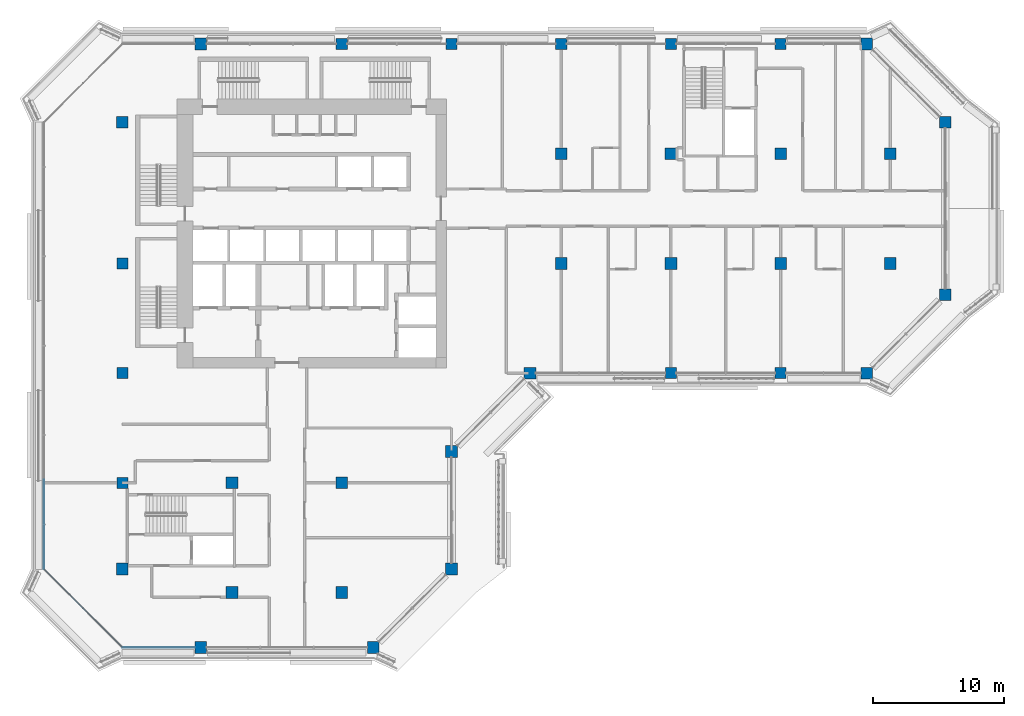
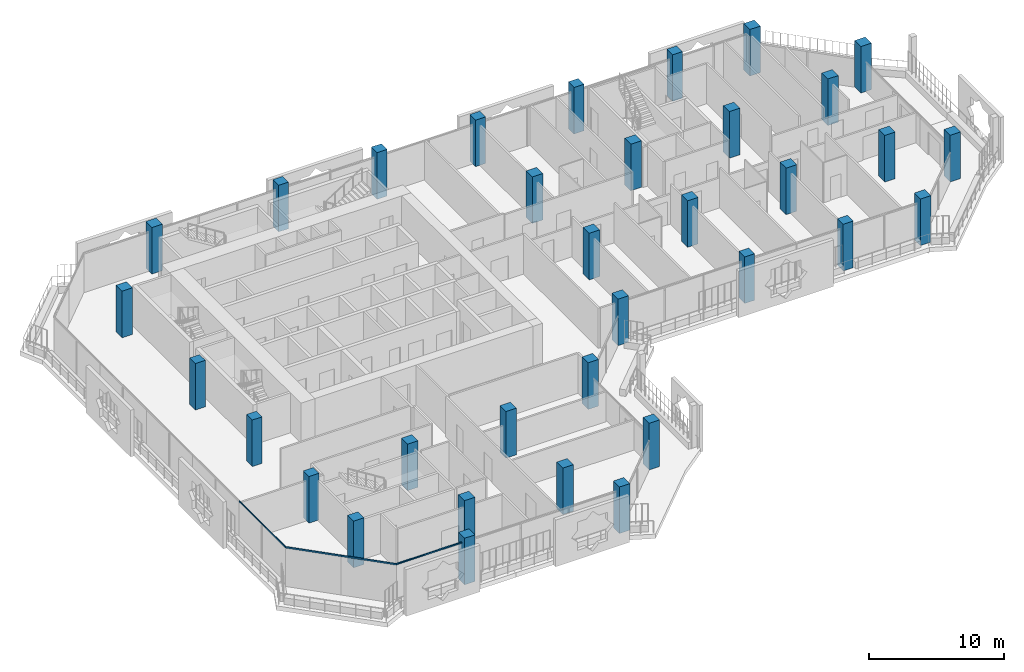
# One storey, part 1 of 21: 34 columns, 4 members, 3 elements without a shape of their own.
"""IFC4 building model written with IfcOpenShell, lengths in metres."""

from ifc_helpers import new_model, si_unit, direction, frame, origin, origin_2d, place, context, subcontext, project, spatial, rectangle, extrude, material, layer, layer_set, material_profile, profile_set, type_object, element, aggregate, save


model = new_model("IFC4")

# Units and contexts
model_context = context("Model", 3, precision=1e-05, world=origin(), true_north=direction((0.0, 1.0)))
body_context = subcontext(model_context, "Body", "Model", "MODEL_VIEW")
ifc_project = project(units=[si_unit("LENGTHUNIT", "METRE"), si_unit("AREAUNIT", "SQUARE_METRE"), si_unit("VOLUMEUNIT", "CUBIC_METRE"), si_unit("PLANEANGLEUNIT", "RADIAN"), si_unit("MASSUNIT", "GRAM", prefix="KILO")], contexts=[model_context])

# Site, building, storey
site_placement = place(None, origin())
site = spatial("IfcSite", under=ifc_project, at=site_placement, CompositionType="ELEMENT")
building_placement = place(site_placement, origin())
building = spatial("IfcBuilding", under=site, at=building_placement, Name="Kawkab Arch Medical Tower", CompositionType="ELEMENT")
storey_placement = place(building_placement, frame((0.0, 0.0, 243.199951171875)))
storey = spatial("IfcBuildingStorey", under=building, at=storey_placement, Name="L56", CompositionType="ELEMENT", Elevation=243.199951171875)

# Columns
ifc_material_1 = material(Name="Concrete C45/55", Category="concrete")
ifc_material_profile_1 = material_profile(ifc_material_1, rectangle(XDim=0.85009765625, YDim=0.85009765625, at=origin_2d()), Name="RC 850x850")
ifc_profile_set_1 = profile_set([ifc_material_profile_1], Name="Concrete C45/55")
column_type_1 = type_object("IfcColumnType", Name="RC 850x850 column C45/55", PredefinedType="COLUMN", material=ifc_profile_set_1)
for number, where, z_axis, x_axis, name in (
    (1, (16.800048828125, 0.0, 0.0), (0.0, 0.0, 1.0), (1.0, 0.0, 0.0), "Column RC 850x850"),
    (2, (25.199951171875, 0.0, 0.0), (0.0, 0.0, 1.0), (1.0, 0.0, 0.0), "Column RC 850x850"),
    (3, (33.60009765625, 0.0, 0.0), (0.0, 0.0, 1.0), (1.0, 0.0, 0.0), "Column RC 850x850"),
    (4, (42.0, 0.0, 0.0), (0.0, 0.0, 1.0), (1.0, 0.0, 0.0), "Column RC 850x850"),
    (5, (50.39990234375, 0.0, 0.0), (0.0, 0.0, 1.0), (1.0, 0.0, 0.0), "Column RC 850x850"),
    (6, (0.0, -16.800048828125, 0.0), (0.0, 0.0, 1.0), (1.0, 0.0, 0.0), "Column RC 850x850"),
    (7, (0.0, -25.199951171875, 0.0), (0.0, 0.0, 1.0), (1.0, 0.0, 0.0), "Column RC 850x850"),
    (8, (42.0, -25.199951171875, 0.0), (0.0, 0.0, 1.0), (1.0, 0.0, 0.0), "Column RC 850x850"),
    (9, (50.39990234375, -25.199951171875, 0.0), (0.0, 0.0, 1.0), (1.0, 0.0, 0.0), "Column RC 850x850"),
    (10, (0.0, -33.60009765625, 0.0), (0.0, 0.0, 1.0), (1.0, 0.0, 0.0), "Column RC 850x850"),
):
    element("IfcColumn", number, at=place(storey_placement, frame(where, z_axis=z_axis, x_axis=x_axis)), inside=storey, type_object=column_type_1, Name=name, PredefinedType="COLUMN", context=body_context, shape_type="SweptSolid", body=[
        extrude(rectangle(XDim=0.85009765625, YDim=0.85009765625, at=origin_2d()), origin(), (0.0, 0.0, 1.0), 4.199951171875),
    ])
ifc_material_2 = material(Name="Concrete C45/55", Category="concrete")
ifc_material_profile_2 = material_profile(ifc_material_2, rectangle(XDim=0.89990234375, YDim=0.89990234375, at=origin_2d()), Name="RC 900x900")
ifc_profile_set_2 = profile_set([ifc_material_profile_2], Name="Concrete C45/55")
column_type_2 = type_object("IfcColumnType", Name="RC 900x900 column C45/55", PredefinedType="COLUMN", material=ifc_profile_set_2)
for number, where, z_axis, x_axis, name in (
    (11, (6.0, 0.0, 0.0), (0.0, 0.0, 1.0), (1.0, 0.0, 0.0), "Column RC 900x900"),
    (12, (57.0, 0.0, 0.0), (0.0, 0.0, 1.0), (1.0, 0.0, 0.0), "Column RC 900x900"),
    (13, (0.0, -6.0, 0.0), (0.0, 0.0, 1.0), (1.0, 0.0, 0.0), "Column RC 900x900"),
    (14, (63.0, -6.0, 0.0), (0.0, 0.0, 1.0), (1.0, 0.0, 0.0), "Column RC 900x900"),
    (15, (33.60009765625, -8.39990234375, 0.0), (0.0, 0.0, 1.0), (1.0, 0.0, 0.0), "Column RC 900x900"),
    (16, (42.0, -8.39990234375, 0.0), (0.0, 0.0, 1.0), (1.0, 0.0, 0.0), "Column RC 900x900"),
    (17, (50.39990234375, -8.39990234375, 0.0), (0.0, 0.0, 1.0), (1.0, 0.0, 0.0), "Column RC 900x900"),
    (18, (58.800048828125, -8.39990234375, 0.0), (0.0, 0.0, 1.0), (1.0, 0.0, 0.0), "Column RC 900x900"),
    (19, (33.60009765625, -16.800048828125, 0.0), (0.0, 0.0, 1.0), (1.0, 0.0, 0.0), "Column RC 900x900"),
    (20, (42.0, -16.800048828125, 0.0), (0.0, 0.0, 1.0), (1.0, 0.0, 0.0), "Column RC 900x900"),
    (21, (50.39990234375, -16.800048828125, 0.0), (0.0, 0.0, 1.0), (1.0, 0.0, 0.0), "Column RC 900x900"),
    (22, (58.800048828125, -16.800048828125, 0.0), (0.0, 0.0, 1.0), (1.0, 0.0, 0.0), "Column RC 900x900"),
    (23, (63.0, -19.199951171875, 0.0), (0.0, 0.0, 1.0), (1.0, 0.0, 0.0), "Column RC 900x900"),
    (24, (31.199951171875, -25.199951171875, 0.0), (0.0, 0.0, 1.0), (1.0, 0.0, 0.0), "Column RC 900x900"),
    (25, (57.0, -25.199951171875, 0.0), (0.0, 0.0, 1.0), (1.0, 0.0, 0.0), "Column RC 900x900"),
    (26, (25.199951171875, -31.199951171875, 0.0), (0.0, 0.0, 1.0), (1.0, 0.0, 0.0), "Column RC 900x900"),
    (27, (8.39990234375, -33.60009765625, 0.0), (0.0, 0.0, 1.0), (1.0, 0.0, 0.0), "Column RC 900x900"),
    (28, (16.800048828125, -33.60009765625, 0.0), (0.0, 0.0, 1.0), (1.0, 0.0, 0.0), "Column RC 900x900"),
    (29, (0.0, -40.199951171875, 0.0), (0.0, 0.0, 1.0), (1.0, 0.0, 0.0), "Column RC 900x900"),
    (30, (25.199951171875, -40.199951171875, 0.0), (0.0, 0.0, 1.0), (1.0, 0.0, 0.0), "Column RC 900x900"),
    (31, (8.39990234375, -42.0, 0.0), (0.0, 0.0, 1.0), (1.0, 0.0, 0.0), "Column RC 900x900"),
    (32, (16.800048828125, -42.0, 0.0), (0.0, 0.0, 1.0), (1.0, 0.0, 0.0), "Column RC 900x900"),
    (33, (6.0, -46.199951171875, 0.0), (0.0, 0.0, 1.0), (1.0, 0.0, 0.0), "Column RC 900x900"),
    (34, (19.199951171875, -46.199951171875, 0.0), (0.0, 0.0, 1.0), (1.0, 0.0, 0.0), "Column RC 900x900"),
):
    element("IfcColumn", number, at=place(storey_placement, frame(where, z_axis=z_axis, x_axis=x_axis)), inside=storey, type_object=column_type_2, Name=name, PredefinedType="COLUMN", context=body_context, shape_type="SweptSolid", body=[
        extrude(rectangle(XDim=0.89990234375, YDim=0.89990234375, at=origin_2d()), origin(), (0.0, 0.0, 1.0), 4.199951171875),
    ])

# Curtain wall, member
ifc_material_3 = material(Name="Bronze anodised aluminium curtain wall frame", Category="aluminium")
ifc_layer_1 = layer(ifc_material_3, 0.159912109375)
ifc_layer_set_1 = layer_set([ifc_layer_1], Name="Bronze anodised aluminium curtain wall frame")
curtain_wall_type_1 = type_object("IfcCurtainWallType", Name="CW1 ward curtain wall", PredefinedType="NOTDEFINED", material=ifc_layer_set_1)
placement = place(storey_placement, origin())
curtain_wall_1 = element("IfcCurtainWall", 35, at=placement, inside=storey, type_object=curtain_wall_type_1, Name="CW1 Ward curtain wall R01", PredefinedType="NOTDEFINED")
ifc_material_4 = material(Name="Bronze anodised aluminium curtain wall frame", Category="aluminium")
ifc_material_profile_3 = material_profile(ifc_material_4, rectangle(XDim=0.06005859375, YDim=0.1201171875, at=origin_2d()), Name="AL 60x120")
ifc_profile_set_3 = profile_set([ifc_material_profile_3], Name="Bronze anodised aluminium curtain wall frame")
member_type_1 = type_object("IfcMemberType", Name="CW1 transom 120 x 60", PredefinedType="USERDEFINED", material=ifc_profile_set_3)
member_1_placement = place(storey_placement, frame((-6.0, -33.360107421875, 3.5400390625), z_axis=(0.0, -1.0, 0.0), x_axis=(1.0, 0.0, 0.0)))
member_1 = element("IfcMember", 36, at=member_1_placement, type_object=member_type_1, Name="CW1 transom 5", ObjectType="TRANSOM", PredefinedType="USERDEFINED", context=body_context, shape_type="SweptSolid", body=[
    extrude(rectangle(XDim=0.06005859375, YDim=0.1201171875, at=origin_2d()), origin(), (0.0, 0.0, 1.0), 6.83984375),
])
aggregate(curtain_wall_1, [member_1])

curtain_wall_2 = element("IfcCurtainWall", 37, at=placement, inside=storey, type_object=curtain_wall_type_1, Name="CW1 Ward curtain wall R03", PredefinedType="NOTDEFINED")
member_2_placement = place(storey_placement, frame((0.0, -46.199951171875, 3.5400390625), z_axis=(1.0, 0.0, 0.0), x_axis=(0.0, 1.0, 0.0)))
member_2 = element("IfcMember", 38, at=member_2_placement, type_object=member_type_1, Name="CW1 transom 1", ObjectType="TRANSOM", PredefinedType="USERDEFINED", context=body_context, shape_type="SweptSolid", body=[
    extrude(rectangle(XDim=0.06005859375, YDim=0.1201171875, at=origin_2d()), origin(), (0.0, 0.0, 1.0), 5.550048828125),
])
aggregate(curtain_wall_2, [member_2])

# Curtain wall, members
ifc_material_5 = material(Name="Bronze anodised aluminium curtain wall frame", Category="aluminium")
ifc_layer_2 = layer(ifc_material_5, 0.159912109375)
ifc_layer_set_2 = layer_set([ifc_layer_2], Name="Bronze anodised aluminium curtain wall frame")
curtain_wall_type_2 = type_object("IfcCurtainWallType", Name="CW2 chamfer curtain wall", PredefinedType="NOTDEFINED", material=ifc_layer_set_2)
curtain_wall_3 = element("IfcCurtainWall", 39, at=placement, inside=storey, type_object=curtain_wall_type_2, Name="CW2 Chamfer curtain wall R02", PredefinedType="NOTDEFINED")
ifc_material_6 = material(Name="Bronze anodised aluminium curtain wall frame", Category="aluminium")
ifc_material_profile_4 = material_profile(ifc_material_6, rectangle(XDim=0.06005859375, YDim=0.139892578125, at=origin_2d()), Name="AL 60x140")
ifc_profile_set_4 = profile_set([ifc_material_profile_4], Name="Bronze anodised aluminium curtain wall frame")
member_type_2 = type_object("IfcMemberType", Name="CW2 transom 140 x 60", PredefinedType="USERDEFINED", material=ifc_profile_set_4)
member_3_placement = place(storey_placement, frame((-6.0, -40.199951171875, 3.530029296875), z_axis=(0.707106781187, -0.707106781187, 0.0), x_axis=(0.707106781187, 0.707106781187, 0.0)))
member_3 = element("IfcMember", 40, at=member_3_placement, type_object=member_type_2, Name="CW2 transom 1", ObjectType="TRANSOM", PredefinedType="USERDEFINED", context=body_context, shape_type="SweptSolid", body=[
    extrude(rectangle(XDim=0.06005859375, YDim=0.139892578125, at=origin_2d()), origin(), (0.0, 0.0, 1.0), 4.24267578125),
])
member_4_placement = place(storey_placement, frame((-3.0, -43.199951171875, 3.530029296875), z_axis=(0.707106781187, -0.707106781187, 0.0), x_axis=(0.707106781187, 0.707106781187, 0.0)))
member_4 = element("IfcMember", 41, at=member_4_placement, type_object=member_type_2, Name="CW2 transom 2", ObjectType="TRANSOM", PredefinedType="USERDEFINED", context=body_context, shape_type="SweptSolid", body=[
    extrude(rectangle(XDim=0.06005859375, YDim=0.139892578125, at=origin_2d()), origin(), (0.0, 0.0, 1.0), 4.24267578125),
])
aggregate(curtain_wall_3, [member_3, member_4])

save(model, "model.ifc")
